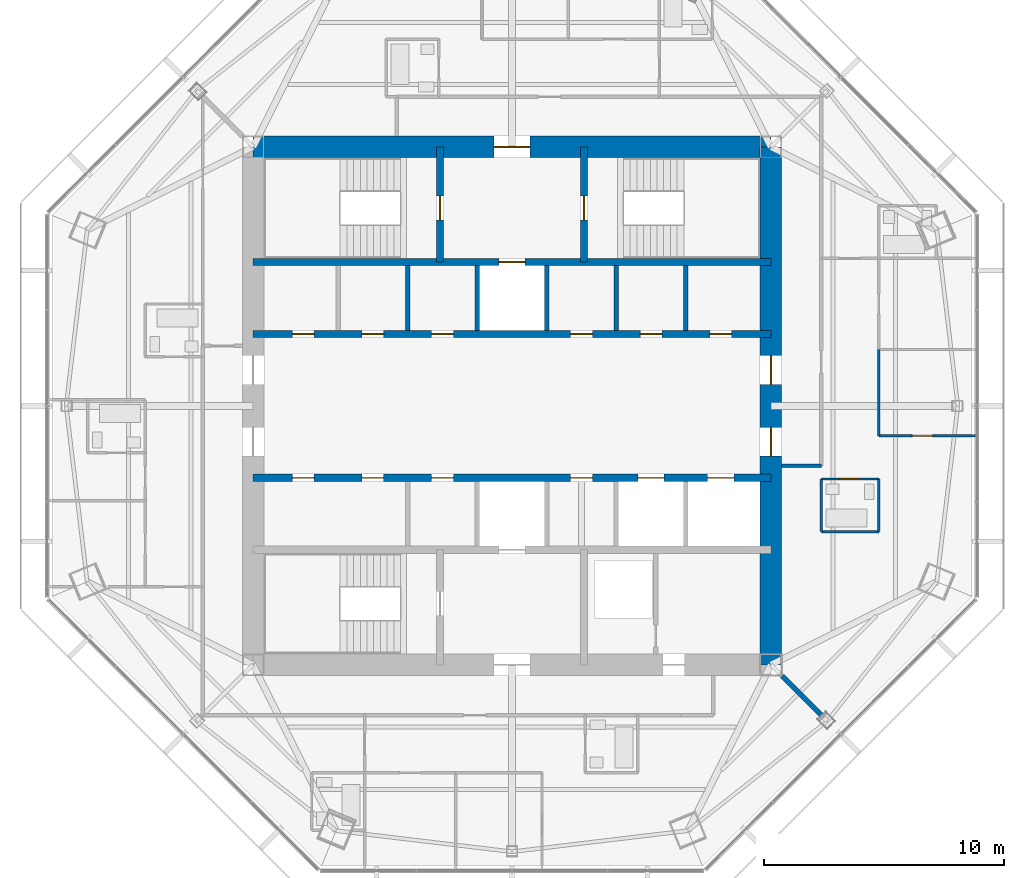
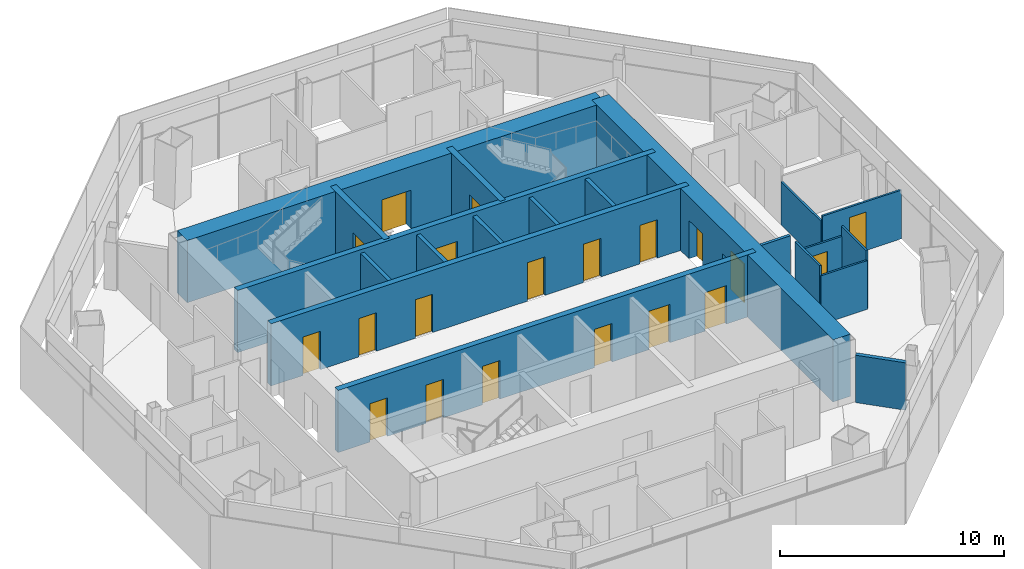
# One storey, part 10 of 15: 20 doors, 20 walls, 20 openings.
"""IFC4 building model written with IfcOpenShell, lengths in metres."""

import ifcopenshell
import ifcopenshell.guid

model = None  # the IFC model being written
_history = None  # IfcOwnerHistory: only IFC2X3 demands one
_inside = {}  # id of a spatial element -> (the spatial element, [elements in it])
_under = {}  # id of a project, library or spatial element -> (it, [spatial elements below it])
_declared = {}  # id of a project -> (the project, [libraries it declares])
_typed = {}  # id of a type object -> (the type object, [elements of that type])
_made_of = {}  # id of a material, layer set ... -> (it, [elements and type objects made of it])


def new_model(schema):
    """Start an empty IFC model of exactly this schema.

    Asked for "IFC4X3", IfcOpenShell would pick the latest addendum, in which some entities
    have other attributes; the version numbers below select the first issue.
    IFC2X3 requires an IfcOwnerHistory on every rooted entity: one is made here for all.
    """
    global model, _history
    if schema == "IFC4X3":
        model = ifcopenshell.file(schema_version=(4, 3, 0, 0))
    else:
        model = ifcopenshell.file(schema=schema)
    _inside.clear()
    _under.clear()
    _declared.clear()
    _typed.clear()
    _made_of.clear()
    _history = None
    if model.schema == "IFC2X3":
        org = make("IfcOrganization", Name="unknown")
        user = make(
            "IfcPersonAndOrganization",
            ThePerson=make("IfcPerson", FamilyName="unknown"),
            TheOrganization=org,
        )
        app = make(
            "IfcApplication",
            ApplicationDeveloper=org,
            Version="unknown",
            ApplicationFullName="unknown",
            ApplicationIdentifier="unknown",
        )
        _history = make(
            "IfcOwnerHistory",
            OwningUser=user,
            OwningApplication=app,
            ChangeAction="ADDED",
            CreationDate=0,
        )
    return model


def make(cls, **values):
    """One entity of the class cls with the attributes given. An attribute that is None is left unset."""
    return model.create_entity(
        cls, **{name: value for name, value in values.items() if value is not None}
    )


def rooted(cls, **values):
    """An entity with a GlobalId (a new one), such as an element, a storey or a relation."""
    return make(cls, GlobalId=ifcopenshell.guid.new(), OwnerHistory=_history, **values)


def si_unit(unit_type, name, prefix=None):
    """IfcSIUnit, for example si_unit("LENGTHUNIT", "METRE", prefix="MILLI")."""
    return make("IfcSIUnit", UnitType=unit_type, Prefix=prefix, Name=name)


def assignment(units):
    """IfcUnitAssignment: the units of a project."""
    return None if units is None else make("IfcUnitAssignment", Units=units)


def point(xyz):
    """IfcCartesianPoint."""
    return None if xyz is None else make("IfcCartesianPoint", Coordinates=xyz)


def direction(xyz):
    """IfcDirection."""
    return None if xyz is None else make("IfcDirection", DirectionRatios=xyz)


def frame(location, z_axis=None, x_axis=None):
    """IfcAxis2Placement3D, a coordinate frame: its origin and axes. An axis left out is left unset."""
    return make(
        "IfcAxis2Placement3D",
        Location=point(location),
        Axis=direction(z_axis),
        RefDirection=direction(x_axis),
    )


def frame_2d(location, x_axis=None):
    """IfcAxis2Placement2D, a coordinate frame in the plane: its origin and x axis."""
    return make(
        "IfcAxis2Placement2D", Location=point(location), RefDirection=direction(x_axis)
    )


def origin():
    """The frame at (0, 0, 0) with its axes left unset."""
    return frame((0.0, 0.0, 0.0))


def place(relative_to, where):
    """IfcLocalPlacement: puts the frame where relative to a parent placement (None: the world)."""
    return make(
        "IfcLocalPlacement", PlacementRelTo=relative_to, RelativePlacement=where
    )


def context(
    kind, dimensions, precision=None, world=None, true_north=None, identifier=None
):
    """IfcGeometricRepresentationContext, for example the 3D "Model" context."""
    return make(
        "IfcGeometricRepresentationContext",
        ContextIdentifier=identifier,
        ContextType=kind,
        CoordinateSpaceDimension=dimensions,
        Precision=precision,
        WorldCoordinateSystem=world,
        TrueNorth=true_north,
    )


def subcontext(parent, identifier, kind, view, scale=None):
    """IfcGeometricRepresentationSubContext, for example "Body" below "Model"."""
    return make(
        "IfcGeometricRepresentationSubContext",
        ContextIdentifier=identifier,
        ContextType=kind,
        ParentContext=parent,
        TargetScale=scale,
        TargetView=view,
    )


def project(units=None, contexts=None):
    """IfcProject with its units and contexts."""
    return rooted(
        "IfcProject",
        Name="project",
        RepresentationContexts=contexts,
        UnitsInContext=assignment(units),
    )


def spatial(cls, under=None, at=None, **own):
    """A site, building, storey or space (cls), placed at a placement, below another one or the project."""
    s = rooted(cls, ObjectPlacement=at, **own)
    if under is not None:
        _under.setdefault(under.id(), (under, []))[1].append(s)
    return s


def profile(cls, at=None, kind="AREA", **sizes):
    """A parametric profile (cls). Its sizes go by their IFC names, for example OverallWidth=200.0."""
    return make(cls, ProfileType=kind, Position=at, **sizes)


def rectangle(**sizes):
    """IfcRectangleProfileDef."""
    return profile("IfcRectangleProfileDef", **sizes)


def extrude(swept, where, along, depth):
    """IfcExtrudedAreaSolid: the profile swept, set in the frame where, extruded along a direction by depth."""
    return make(
        "IfcExtrudedAreaSolid",
        SweptArea=swept,
        Position=where,
        ExtrudedDirection=direction(along),
        Depth=depth,
    )


def shape(context_of_items, identifier, shape_type, items):
    """IfcShapeRepresentation: the items that make up one representation, for example the "Body"."""
    return make(
        "IfcShapeRepresentation",
        ContextOfItems=context_of_items,
        RepresentationIdentifier=identifier,
        RepresentationType=shape_type,
        Items=items,
    )


def material(Name=None, Category=None):
    """IfcMaterial."""
    return make("IfcMaterial", Name=Name, Category=Category)


def layer(
    of_material, thickness, ventilated=None, Name=None, Category=None, Priority=None
):
    """IfcMaterialLayer: one layer of a wall or slab, of a material (None: an air gap)."""
    return make(
        "IfcMaterialLayer",
        Material=of_material,
        LayerThickness=thickness,
        IsVentilated=ventilated,
        Name=Name,
        Category=Category,
        Priority=Priority,
    )


def layer_set(layers, Name=None):
    """IfcMaterialLayerSet."""
    return make("IfcMaterialLayerSet", MaterialLayers=layers, LayerSetName=Name)


def made_of(thing, what):
    """Note that an element or type object is made of a material, layer set ...; save() writes the relation."""
    if what is not None:
        _made_of.setdefault(what.id(), (what, []))[1].append(thing)
    return thing


def type_object(cls, material=None, **own):
    """A type object (cls), such as IfcWallType, which elements share."""
    return made_of(rooted(cls, **own), material)


def element(
    cls,
    number,
    at=None,
    inside=None,
    cuts=None,
    type_object=None,
    material=None,
    context=None,
    identifier="Body",
    shape_type=None,
    held_by="IfcProductDefinitionShape",
    body=None,
    shapes=None,
    **own,
):
    """One element of the class cls, such as IfcWall. Its Tag is "e" and its number.

    at: its placement. inside: the storey or other place that contains it. cuts: it is an
    opening in that element (IfcRelVoidsElement). A single representation is given by context,
    identifier, shape_type and body (its items); several are given by shapes. held_by: the class
    of the entity that holds the representations. save() writes the other relations.
    """
    e = rooted(cls, Tag="e%d" % number, ObjectPlacement=at, **own)
    if body is not None:
        shapes = [shape(context, identifier, shape_type, body)]
    if shapes is not None:
        e.Representation = make(held_by, Representations=shapes)
    if inside is not None:
        _inside.setdefault(inside.id(), (inside, []))[1].append(e)
    if cuts is not None:
        rooted(
            "IfcRelVoidsElement", RelatingBuildingElement=cuts, RelatedOpeningElement=e
        )
    if type_object is not None:
        _typed.setdefault(type_object.id(), (type_object, []))[1].append(e)
    return made_of(e, material)


def fill(opening, filler):
    """IfcRelFillsElement: the door or window that sits in an opening."""
    return rooted(
        "IfcRelFillsElement",
        RelatingOpeningElement=opening,
        RelatedBuildingElement=filler,
    )


def aggregate(whole, parts):
    """IfcRelAggregates: a whole, such as a stair, and the parts it consists of."""
    return rooted("IfcRelAggregates", RelatingObject=whole, RelatedObjects=parts)


def save(model, path):
    """Write the relations noted so far, then the file.

    IfcRelAggregates (storeys below a building ...), IfcRelContainedInSpatialStructure (elements
    in a storey), IfcRelDefinesByType, IfcRelAssociatesMaterial and IfcRelDeclares: one each for
    every whole, place, type object, material and project.
    """
    for whole, parts in _under.values():
        aggregate(whole, parts)
    for where, things in _inside.values():
        rooted(
            "IfcRelContainedInSpatialStructure",
            RelatedElements=things,
            RelatingStructure=where,
        )
    for kind, things in _typed.values():
        rooted("IfcRelDefinesByType", RelatedObjects=things, RelatingType=kind)
    for what, things in _made_of.values():
        rooted("IfcRelAssociatesMaterial", RelatedObjects=things, RelatingMaterial=what)
    for by, libraries in _declared.values():
        rooted("IfcRelDeclares", RelatingContext=by, RelatedDefinitions=libraries)
    model.write(path)


model = new_model("IFC4")

# Units and contexts
model_context = context("Model", 3, precision=1e-05, world=origin(), true_north=direction((0.0, 1.0)))
body_context = subcontext(model_context, "Body", "Model", "MODEL_VIEW")
ifc_project = project(units=[si_unit("LENGTHUNIT", "METRE"), si_unit("AREAUNIT", "SQUARE_METRE"), si_unit("VOLUMEUNIT", "CUBIC_METRE"), si_unit("PLANEANGLEUNIT", "RADIAN"), si_unit("MASSUNIT", "GRAM", prefix="KILO")], contexts=[model_context])

# Site, building, storey
site_placement = place(None, origin())
site = spatial("IfcSite", under=ifc_project, at=site_placement, CompositionType="ELEMENT")
building_placement = place(site_placement, origin())
building = spatial("IfcBuilding", under=site, at=building_placement, Name="Mashrafa Tower", CompositionType="ELEMENT")
storey_placement = place(building_placement, frame((0.0, 0.0, 304.800048828125)))
storey = spatial("IfcBuildingStorey", under=building, at=storey_placement, Name="L75", CompositionType="ELEMENT", Elevation=304.800048828125)

# Wall
ifc_material_1 = material(Name="Gypsum board on steel studs", Category="steel")
ifc_layer_1 = layer(ifc_material_1, 0.199951171875)
ifc_layer_set_1 = layer_set([ifc_layer_1], Name="Acoustic partition 200 1 hr")
wall_type_1 = type_object("IfcWallType", Name="Acoustic partition 200 1 hr", PredefinedType="PARTITIONING", material=ifc_layer_set_1)
wall_1_placement = place(storey_placement, frame((11.26904296875, -11.26904296875, 0.0), z_axis=(0.0, 0.0, 1.0), x_axis=(0.707106781187, -0.707106781187, 0.0)))
element("IfcWall", 1, at=wall_1_placement, inside=storey, type_object=wall_type_1, Name="Acoustic wall L75-033", PredefinedType="PARTITIONING", context=body_context, shape_type="SweptSolid", body=[
    extrude(rectangle(XDim=2.3154296875, YDim=0.199951171875, at=frame_2d((1.15771484375, 0.0))), origin(), (0.0, 0.0, 1.0), 2.590576171875),
])

# Wall, openings, doors
ifc_material_2 = material(Name="Concrete C50/60", Category="concrete")
ifc_layer_2 = layer(ifc_material_2, 0.300048828125)
ifc_layer_set_2 = layer_set([ifc_layer_2], Name="Core wall 300 C50/60")
wall_type_2 = type_object("IfcWallType", Name="Core wall 300 C50/60", PredefinedType="SOLIDWALL", material=ifc_layer_set_2)
wall_2_placement = place(storey_placement, frame((-10.800048828125, 3.0, 0.0), z_axis=(0.0, 0.0, 1.0), x_axis=(1.0, 0.0, 0.0)))
wall_2 = element("IfcWall", 2, at=wall_2_placement, inside=storey, type_object=wall_type_2, Name="Core wall CH-N L75", PredefinedType="SOLIDWALL", context=body_context, shape_type="SweptSolid", body=[
    extrude(rectangle(XDim=21.60009765625, YDim=0.300048828125, at=frame_2d((10.800048828125, 0.0))), origin(), (0.0, 0.0, 1.0), 3.39990234375),
])
opening_1_placement = place(wall_2_placement, frame((1.64990234375, 0.0, 0.0)))
opening_1 = element("IfcOpeningElement", 3, at=opening_1_placement, cuts=wall_2, Name="Opening 75.037", PredefinedType="OPENING", context=body_context, shape_type="SweptSolid", body=[
    extrude(rectangle(XDim=0.89990234375, YDim=2.10009765625, at=frame_2d((0.449951171875, 1.050048828125))), frame((0.0, 0.159912109375, 0.0), z_axis=(0.0, -1.0, 0.0), x_axis=(1.0, 0.0, 0.0)), (0.0, 0.0, 1.0), 0.320068359375),
])
opening_2_placement = place(wall_2_placement, frame((4.550048828125, 0.0, 0.0)))
opening_2 = element("IfcOpeningElement", 4, at=opening_2_placement, cuts=wall_2, Name="Opening 75.038", PredefinedType="OPENING", context=body_context, shape_type="SweptSolid", body=[
    extrude(rectangle(XDim=0.89990234375, YDim=2.10009765625, at=frame_2d((0.449951171875, 1.050048828125))), frame((0.0, 0.159912109375, 0.0), z_axis=(0.0, -1.0, 0.0), x_axis=(1.0, 0.0, 0.0)), (0.0, 0.0, 1.0), 0.320068359375),
])
opening_3_placement = place(wall_2_placement, frame((13.25, 0.0, 0.0)))
opening_3 = element("IfcOpeningElement", 5, at=opening_3_placement, cuts=wall_2, Name="Opening 75.039", PredefinedType="OPENING", context=body_context, shape_type="SweptSolid", body=[
    extrude(rectangle(XDim=0.89990234375, YDim=2.10009765625, at=frame_2d((0.449951171875, 1.050048828125))), frame((0.0, 0.159912109375, 0.0), z_axis=(0.0, -1.0, 0.0), x_axis=(1.0, 0.0, 0.0)), (0.0, 0.0, 1.0), 0.320068359375),
])
opening_4_placement = place(wall_2_placement, frame((7.449951171875, 0.0, 0.0)))
opening_4 = element("IfcOpeningElement", 6, at=opening_4_placement, cuts=wall_2, Name="Opening 75.043", PredefinedType="OPENING", context=body_context, shape_type="SweptSolid", body=[
    extrude(rectangle(XDim=0.89990234375, YDim=2.10009765625, at=frame_2d((0.449951171875, 1.050048828125))), frame((0.0, 0.159912109375, 0.0), z_axis=(0.0, -1.0, 0.0), x_axis=(1.0, 0.0, 0.0)), (0.0, 0.0, 1.0), 0.320068359375),
])
opening_5_placement = place(wall_2_placement, frame((16.14990234375, 0.0, 0.0)))
opening_5 = element("IfcOpeningElement", 7, at=opening_5_placement, cuts=wall_2, Name="Opening 75.044", PredefinedType="OPENING", context=body_context, shape_type="SweptSolid", body=[
    extrude(rectangle(XDim=0.89990234375, YDim=2.10009765625, at=frame_2d((0.449951171875, 1.050048828125))), frame((0.0, 0.159912109375, 0.0), z_axis=(0.0, -1.0, 0.0), x_axis=(1.0, 0.0, 0.0)), (0.0, 0.0, 1.0), 0.320068359375),
])
opening_6_placement = place(wall_2_placement, frame((19.050048828125, 0.0, 0.0)))
opening_6 = element("IfcOpeningElement", 8, at=opening_6_placement, cuts=wall_2, Name="Opening 75.045", PredefinedType="OPENING", context=body_context, shape_type="SweptSolid", body=[
    extrude(rectangle(XDim=0.89990234375, YDim=2.10009765625, at=frame_2d((0.449951171875, 1.050048828125))), frame((0.0, 0.159912109375, 0.0), z_axis=(0.0, -1.0, 0.0), x_axis=(1.0, 0.0, 0.0)), (0.0, 0.0, 1.0), 0.320068359375),
])
ifc_material_3 = material(Name="Timber door", Category="wood")
door_type_1 = type_object("IfcDoorType", Name="Store door 900 x 2100", OperationType="USERDEFINED", PredefinedType="DOOR", material=ifc_material_3)
door_1_placement = place(opening_1_placement, origin())
door_1 = element("IfcDoor", 9, at=door_1_placement, inside=storey, type_object=door_type_1, Name="Refuse Chute Room L75 door", OperationType="SINGLE_SWING_RIGHT", OverallHeight=2.10009765625, OverallWidth=0.89990234375, PredefinedType="DOOR", context=body_context, shape_type="SweptSolid", body=[
    extrude(rectangle(XDim=0.89990234375, YDim=2.10009765625, at=frame_2d((0.449951171875, 1.050048828125))), frame((0.0, 0.02490234375, 0.0), z_axis=(0.0, -1.0, 0.0), x_axis=(1.0, 0.0, 0.0)), (0.0, 0.0, 1.0), 0.050048828125),
])
fill(opening_1, door_1)
door_2_placement = place(opening_2_placement, origin())
door_2 = element("IfcDoor", 10, at=door_2_placement, inside=storey, type_object=door_type_1, Name="Housekeeping Room L75 door", OperationType="SINGLE_SWING_LEFT", OverallHeight=2.10009765625, OverallWidth=0.89990234375, PredefinedType="DOOR", context=body_context, shape_type="SweptSolid", body=[
    extrude(rectangle(XDim=0.89990234375, YDim=2.10009765625, at=frame_2d((0.449951171875, 1.050048828125))), frame((0.0, 0.02490234375, 0.0), z_axis=(0.0, -1.0, 0.0), x_axis=(1.0, 0.0, 0.0)), (0.0, 0.0, 1.0), 0.050048828125),
])
fill(opening_2, door_2)
door_3_placement = place(opening_3_placement, origin())
door_3 = element("IfcDoor", 11, at=door_3_placement, inside=storey, type_object=door_type_1, Name="Cleaner's Store L75 door", OperationType="SINGLE_SWING_LEFT", OverallHeight=2.10009765625, OverallWidth=0.89990234375, PredefinedType="DOOR", context=body_context, shape_type="SweptSolid", body=[
    extrude(rectangle(XDim=0.89990234375, YDim=2.10009765625, at=frame_2d((0.449951171875, 1.050048828125))), frame((0.0, 0.02490234375, 0.0), z_axis=(0.0, -1.0, 0.0), x_axis=(1.0, 0.0, 0.0)), (0.0, 0.0, 1.0), 0.050048828125),
])
fill(opening_3, door_3)
door_4_placement = place(opening_4_placement, origin())
door_4 = element("IfcDoor", 12, at=door_4_placement, inside=storey, type_object=door_type_1, Name="Residents' Store L75-A3 door", OperationType="SINGLE_SWING_LEFT", OverallHeight=2.10009765625, OverallWidth=0.89990234375, PredefinedType="DOOR", context=body_context, shape_type="SweptSolid", body=[
    extrude(rectangle(XDim=0.89990234375, YDim=2.10009765625, at=frame_2d((0.449951171875, 1.050048828125))), frame((0.0, 0.02490234375, 0.0), z_axis=(0.0, -1.0, 0.0), x_axis=(1.0, 0.0, 0.0)), (0.0, 0.0, 1.0), 0.050048828125),
])
fill(opening_4, door_4)
door_5_placement = place(opening_5_placement, origin())
door_5 = element("IfcDoor", 13, at=door_5_placement, inside=storey, type_object=door_type_1, Name="Residents' Store L75-K1 door", OperationType="SINGLE_SWING_LEFT", OverallHeight=2.10009765625, OverallWidth=0.89990234375, PredefinedType="DOOR", context=body_context, shape_type="SweptSolid", body=[
    extrude(rectangle(XDim=0.89990234375, YDim=2.10009765625, at=frame_2d((0.449951171875, 1.050048828125))), frame((0.0, 0.02490234375, 0.0), z_axis=(0.0, -1.0, 0.0), x_axis=(1.0, 0.0, 0.0)), (0.0, 0.0, 1.0), 0.050048828125),
])
fill(opening_5, door_5)
door_6_placement = place(opening_6_placement, origin())
door_6 = element("IfcDoor", 14, at=door_6_placement, inside=storey, type_object=door_type_1, Name="Residents' Store L75-K2 door", OperationType="SINGLE_SWING_LEFT", OverallHeight=2.10009765625, OverallWidth=0.89990234375, PredefinedType="DOOR", context=body_context, shape_type="SweptSolid", body=[
    extrude(rectangle(XDim=0.89990234375, YDim=2.10009765625, at=frame_2d((0.449951171875, 1.050048828125))), frame((0.0, 0.02490234375, 0.0), z_axis=(0.0, -1.0, 0.0), x_axis=(1.0, 0.0, 0.0)), (0.0, 0.0, 1.0), 0.050048828125),
])
fill(opening_6, door_6)

# Wall, opening, door
wall_3_placement = place(storey_placement, frame((-10.800048828125, 6.0, 0.0), z_axis=(0.0, 0.0, 1.0), x_axis=(1.0, 0.0, 0.0)))
wall_3 = element("IfcWall", 15, at=wall_3_placement, inside=storey, type_object=wall_type_2, Name="Core wall CB-N L75", PredefinedType="SOLIDWALL", context=body_context, shape_type="SweptSolid", body=[
    extrude(rectangle(XDim=21.60009765625, YDim=0.300048828125, at=frame_2d((10.800048828125, 0.0))), origin(), (0.0, 0.0, 1.0), 3.39990234375),
])
opening_7_placement = place(wall_3_placement, frame((10.25, 0.0, 0.0)))
opening_7 = element("IfcOpeningElement", 16, at=opening_7_placement, cuts=wall_3, Name="Opening 75.F1", PredefinedType="OPENING", context=body_context, shape_type="SweptSolid", body=[
    extrude(rectangle(XDim=1.10009765625, YDim=2.10009765625, at=frame_2d((0.550048828125, 1.050048828125))), frame((0.0, 0.159912109375, 0.0), z_axis=(0.0, -1.0, 0.0), x_axis=(1.0, 0.0, 0.0)), (0.0, 0.0, 1.0), 0.320068359375),
])
ifc_material_4 = material(Name="Steel door", Category="steel")
door_type_2 = type_object("IfcDoorType", Name="Lift landing door 1100 x 2100 90 min", OperationType="DOUBLE_DOOR_SLIDING", PredefinedType="DOOR", material=ifc_material_4)
door_7_placement = place(opening_7_placement, origin())
door_7 = element("IfcDoor", 17, at=door_7_placement, inside=storey, type_object=door_type_2, Name="Lift landing door F1 L75", OperationType="DOUBLE_DOOR_SLIDING", OverallHeight=2.10009765625, OverallWidth=1.10009765625, PredefinedType="DOOR", context=body_context, shape_type="SweptSolid", body=[
    extrude(rectangle(XDim=1.10009765625, YDim=2.10009765625, at=frame_2d((0.550048828125, 1.050048828125))), frame((0.0, 0.02490234375, 0.0), z_axis=(0.0, -1.0, 0.0), x_axis=(1.0, 0.0, 0.0)), (0.0, 0.0, 1.0), 0.050048828125),
])
fill(opening_7, door_7)

wall_4_placement = place(storey_placement, frame((-3.0, 6.0, 0.0), z_axis=(0.0, 0.0, 1.0), x_axis=(0.0, 1.0, 0.0)))
wall_4 = element("IfcWall", 18, at=wall_4_placement, inside=storey, type_object=wall_type_2, Name="Core wall CX-NW L75", PredefinedType="SOLIDWALL", context=body_context, shape_type="SweptSolid", body=[
    extrude(rectangle(XDim=4.800048828125, YDim=0.300048828125, at=frame_2d((2.39990234375, 0.0))), origin(), (0.0, 0.0, 1.0), 3.39990234375),
])
opening_8_placement = place(wall_4_placement, frame((1.75, 0.0, 0.0)))
opening_8 = element("IfcOpeningElement", 19, at=opening_8_placement, cuts=wall_4, Name="Opening 75.032", PredefinedType="OPENING", context=body_context, shape_type="SweptSolid", body=[
    extrude(rectangle(XDim=1.0, YDim=2.10009765625, at=frame_2d((0.5, 1.050048828125))), frame((0.0, 0.159912109375, 0.0), z_axis=(0.0, -1.0, 0.0), x_axis=(1.0, 0.0, 0.0)), (0.0, 0.0, 1.0), 0.320068359375),
])
ifc_material_5 = material(Name="Steel door", Category="steel")
door_type_3 = type_object("IfcDoorType", Name="Stair door 1000 x 2100 90 min", OperationType="USERDEFINED", PredefinedType="DOOR", material=ifc_material_5)
door_8_placement = place(opening_8_placement, origin())
door_8 = element("IfcDoor", 20, at=door_8_placement, inside=storey, type_object=door_type_3, Name="Stair S1 door L75", OperationType="SINGLE_SWING_LEFT", OverallHeight=2.10009765625, OverallWidth=1.0, PredefinedType="DOOR", context=body_context, shape_type="SweptSolid", body=[
    extrude(rectangle(XDim=1.0, YDim=2.10009765625, at=frame_2d((0.5, 1.050048828125))), frame((0.0, 0.02490234375, 0.0), z_axis=(0.0, -1.0, 0.0), x_axis=(1.0, 0.0, 0.0)), (0.0, 0.0, 1.0), 0.050048828125),
])
fill(opening_8, door_8)

wall_5_placement = place(storey_placement, frame((3.0, 6.0, 0.0), z_axis=(0.0, 0.0, 1.0), x_axis=(0.0, 1.0, 0.0)))
wall_5 = element("IfcWall", 21, at=wall_5_placement, inside=storey, type_object=wall_type_2, Name="Core wall CX-NE L75", PredefinedType="SOLIDWALL", context=body_context, shape_type="SweptSolid", body=[
    extrude(rectangle(XDim=4.800048828125, YDim=0.300048828125, at=frame_2d((2.39990234375, 0.0))), origin(), (0.0, 0.0, 1.0), 3.39990234375),
])
opening_9_placement = place(wall_5_placement, frame((1.75, 0.0, 0.0)))
opening_9 = element("IfcOpeningElement", 22, at=opening_9_placement, cuts=wall_5, Name="Opening 75.033", PredefinedType="OPENING", context=body_context, shape_type="SweptSolid", body=[
    extrude(rectangle(XDim=1.0, YDim=2.10009765625, at=frame_2d((0.5, 1.050048828125))), frame((0.0, 0.159912109375, 0.0), z_axis=(0.0, -1.0, 0.0), x_axis=(1.0, 0.0, 0.0)), (0.0, 0.0, 1.0), 0.320068359375),
])
door_9_placement = place(opening_9_placement, frame((1.0, 0.0, 0.0), z_axis=(0.0, 0.0, 1.0), x_axis=(-1.0, 0.0, 0.0)))
door_9 = element("IfcDoor", 23, at=door_9_placement, inside=storey, type_object=door_type_3, Name="Stair S2 door L75", OperationType="SINGLE_SWING_RIGHT", OverallHeight=2.10009765625, OverallWidth=1.0, PredefinedType="DOOR", context=body_context, shape_type="SweptSolid", body=[
    extrude(rectangle(XDim=1.0, YDim=2.10009765625, at=frame_2d((0.5, 1.050048828125))), frame((0.0, 0.02490234375, 0.0), z_axis=(0.0, -1.0, 0.0), x_axis=(1.0, 0.0, 0.0)), (0.0, 0.0, 1.0), 0.050048828125),
])
fill(opening_9, door_9)

# Wall, openings, doors
wall_6_placement = place(storey_placement, frame((-10.800048828125, -3.0, 0.0), z_axis=(0.0, 0.0, 1.0), x_axis=(1.0, 0.0, 0.0)))
wall_6 = element("IfcWall", 24, at=wall_6_placement, inside=storey, type_object=wall_type_2, Name="Core wall CH-S L75", PredefinedType="SOLIDWALL", context=body_context, shape_type="SweptSolid", body=[
    extrude(rectangle(XDim=21.60009765625, YDim=0.300048828125, at=frame_2d((10.800048828125, 0.0))), origin(), (0.0, 0.0, 1.0), 3.39990234375),
])
opening_10_placement = place(wall_6_placement, frame((13.25, 0.0, 0.0)))
opening_10 = element("IfcOpeningElement", 25, at=opening_10_placement, cuts=wall_6, Name="Opening 75.040", PredefinedType="OPENING", context=body_context, shape_type="SweptSolid", body=[
    extrude(rectangle(XDim=0.89990234375, YDim=2.10009765625, at=frame_2d((0.449951171875, 1.050048828125))), frame((0.0, 0.159912109375, 0.0), z_axis=(0.0, -1.0, 0.0), x_axis=(1.0, 0.0, 0.0)), (0.0, 0.0, 1.0), 0.320068359375),
])
opening_11_placement = place(wall_6_placement, frame((1.64990234375, 0.0, 0.0)))
opening_11 = element("IfcOpeningElement", 26, at=opening_11_placement, cuts=wall_6, Name="Opening 75.041", PredefinedType="OPENING", context=body_context, shape_type="SweptSolid", body=[
    extrude(rectangle(XDim=0.89990234375, YDim=2.10009765625, at=frame_2d((0.449951171875, 1.050048828125))), frame((0.0, 0.159912109375, 0.0), z_axis=(0.0, -1.0, 0.0), x_axis=(1.0, 0.0, 0.0)), (0.0, 0.0, 1.0), 0.320068359375),
])
opening_12_placement = place(wall_6_placement, frame((4.550048828125, 0.0, 0.0)))
opening_12 = element("IfcOpeningElement", 27, at=opening_12_placement, cuts=wall_6, Name="Opening 75.042", PredefinedType="OPENING", context=body_context, shape_type="SweptSolid", body=[
    extrude(rectangle(XDim=0.89990234375, YDim=2.10009765625, at=frame_2d((0.449951171875, 1.050048828125))), frame((0.0, 0.159912109375, 0.0), z_axis=(0.0, -1.0, 0.0), x_axis=(1.0, 0.0, 0.0)), (0.0, 0.0, 1.0), 0.320068359375),
])
opening_13_placement = place(wall_6_placement, frame((7.449951171875, 0.0, 0.0)))
opening_13 = element("IfcOpeningElement", 28, at=opening_13_placement, cuts=wall_6, Name="Opening 75.046", PredefinedType="OPENING", context=body_context, shape_type="SweptSolid", body=[
    extrude(rectangle(XDim=0.89990234375, YDim=2.10009765625, at=frame_2d((0.449951171875, 1.050048828125))), frame((0.0, 0.159912109375, 0.0), z_axis=(0.0, -1.0, 0.0), x_axis=(1.0, 0.0, 0.0)), (0.0, 0.0, 1.0), 0.320068359375),
])
opening_14_placement = place(wall_6_placement, frame((16.050048828125, 0.0, 0.0)))
opening_14 = element("IfcOpeningElement", 29, at=opening_14_placement, cuts=wall_6, Name="Opening 75.R1", PredefinedType="OPENING", context=body_context, shape_type="SweptSolid", body=[
    extrude(rectangle(XDim=1.10009765625, YDim=2.10009765625, at=frame_2d((0.550048828125, 1.050048828125))), frame((0.0, 0.159912109375, 0.0), z_axis=(0.0, -1.0, 0.0), x_axis=(1.0, 0.0, 0.0)), (0.0, 0.0, 1.0), 0.320068359375),
])
opening_15_placement = place(wall_6_placement, frame((18.949951171875, 0.0, 0.0)))
opening_15 = element("IfcOpeningElement", 30, at=opening_15_placement, cuts=wall_6, Name="Opening 75.R2", PredefinedType="OPENING", context=body_context, shape_type="SweptSolid", body=[
    extrude(rectangle(XDim=1.10009765625, YDim=2.10009765625, at=frame_2d((0.550048828125, 1.050048828125))), frame((0.0, 0.159912109375, 0.0), z_axis=(0.0, -1.0, 0.0), x_axis=(1.0, 0.0, 0.0)), (0.0, 0.0, 1.0), 0.320068359375),
])
door_10_placement = place(opening_14_placement, origin())
door_10 = element("IfcDoor", 31, at=door_10_placement, inside=storey, type_object=door_type_2, Name="Lift landing door R1 L75", OperationType="DOUBLE_DOOR_SLIDING", OverallHeight=2.10009765625, OverallWidth=1.10009765625, PredefinedType="DOOR", context=body_context, shape_type="SweptSolid", body=[
    extrude(rectangle(XDim=1.10009765625, YDim=2.10009765625, at=frame_2d((0.550048828125, 1.050048828125))), frame((0.0, 0.02490234375, 0.0), z_axis=(0.0, -1.0, 0.0), x_axis=(1.0, 0.0, 0.0)), (0.0, 0.0, 1.0), 0.050048828125),
])
fill(opening_14, door_10)
door_11_placement = place(opening_15_placement, origin())
door_11 = element("IfcDoor", 32, at=door_11_placement, inside=storey, type_object=door_type_2, Name="Lift landing door R2 L75", OperationType="DOUBLE_DOOR_SLIDING", OverallHeight=2.10009765625, OverallWidth=1.10009765625, PredefinedType="DOOR", context=body_context, shape_type="SweptSolid", body=[
    extrude(rectangle(XDim=1.10009765625, YDim=2.10009765625, at=frame_2d((0.550048828125, 1.050048828125))), frame((0.0, 0.02490234375, 0.0), z_axis=(0.0, -1.0, 0.0), x_axis=(1.0, 0.0, 0.0)), (0.0, 0.0, 1.0), 0.050048828125),
])
fill(opening_15, door_11)
door_12_placement = place(opening_10_placement, frame((0.89990234375, 0.0, 0.0), z_axis=(0.0, 0.0, 1.0), x_axis=(-1.0, 0.0, 0.0)))
door_12 = element("IfcDoor", 33, at=door_12_placement, inside=storey, type_object=door_type_1, Name="Communications Room L75 door", OperationType="SINGLE_SWING_RIGHT", OverallHeight=2.10009765625, OverallWidth=0.89990234375, PredefinedType="DOOR", context=body_context, shape_type="SweptSolid", body=[
    extrude(rectangle(XDim=0.89990234375, YDim=2.10009765625, at=frame_2d((0.449951171875, 1.050048828125))), frame((0.0, 0.02490234375, 0.0), z_axis=(0.0, -1.0, 0.0), x_axis=(1.0, 0.0, 0.0)), (0.0, 0.0, 1.0), 0.050048828125),
])
fill(opening_10, door_12)
door_13_placement = place(opening_11_placement, frame((0.89990234375, 0.0, 0.0), z_axis=(0.0, 0.0, 1.0), x_axis=(-1.0, 0.0, 0.0)))
door_13 = element("IfcDoor", 34, at=door_13_placement, inside=storey, type_object=door_type_1, Name="Butler's Pantry L75 door", OperationType="SINGLE_SWING_RIGHT", OverallHeight=2.10009765625, OverallWidth=0.89990234375, PredefinedType="DOOR", context=body_context, shape_type="SweptSolid", body=[
    extrude(rectangle(XDim=0.89990234375, YDim=2.10009765625, at=frame_2d((0.449951171875, 1.050048828125))), frame((0.0, 0.02490234375, 0.0), z_axis=(0.0, -1.0, 0.0), x_axis=(1.0, 0.0, 0.0)), (0.0, 0.0, 1.0), 0.050048828125),
])
fill(opening_11, door_13)
door_14_placement = place(opening_12_placement, frame((0.89990234375, 0.0, 0.0), z_axis=(0.0, 0.0, 1.0), x_axis=(-1.0, 0.0, 0.0)))
door_14 = element("IfcDoor", 35, at=door_14_placement, inside=storey, type_object=door_type_1, Name="Butler's Pantry L75 door", OperationType="SINGLE_SWING_LEFT", OverallHeight=2.10009765625, OverallWidth=0.89990234375, PredefinedType="DOOR", context=body_context, shape_type="SweptSolid", body=[
    extrude(rectangle(XDim=0.89990234375, YDim=2.10009765625, at=frame_2d((0.449951171875, 1.050048828125))), frame((0.0, 0.02490234375, 0.0), z_axis=(0.0, -1.0, 0.0), x_axis=(1.0, 0.0, 0.0)), (0.0, 0.0, 1.0), 0.050048828125),
])
fill(opening_12, door_14)
door_15_placement = place(opening_13_placement, frame((0.89990234375, 0.0, 0.0), z_axis=(0.0, 0.0, 1.0), x_axis=(-1.0, 0.0, 0.0)))
door_15 = element("IfcDoor", 36, at=door_15_placement, inside=storey, type_object=door_type_1, Name="Residents' Store L75-B3 door", OperationType="SINGLE_SWING_RIGHT", OverallHeight=2.10009765625, OverallWidth=0.89990234375, PredefinedType="DOOR", context=body_context, shape_type="SweptSolid", body=[
    extrude(rectangle(XDim=0.89990234375, YDim=2.10009765625, at=frame_2d((0.449951171875, 1.050048828125))), frame((0.0, 0.02490234375, 0.0), z_axis=(0.0, -1.0, 0.0), x_axis=(1.0, 0.0, 0.0)), (0.0, 0.0, 1.0), 0.050048828125),
])
fill(opening_13, door_15)

ifc_material_6 = material(Name="Concrete C50/60", Category="concrete")
ifc_layer_3 = layer(ifc_material_6, 0.89990234375)
ifc_layer_set_3 = layer_set([ifc_layer_3], Name="Core wall 900 C50/60")
wall_type_3 = type_object("IfcWallType", Name="Core wall 900 C50/60", PredefinedType="SOLIDWALL", material=ifc_layer_set_3)
wall_7_placement = place(storey_placement, frame((10.800048828125, -10.800048828125, 0.0), z_axis=(0.0, 0.0, 1.0), x_axis=(0.0, 1.0, 0.0)))
wall_7 = element("IfcWall", 37, at=wall_7_placement, inside=storey, type_object=wall_type_3, Name="Core wall CW-E L75", PredefinedType="SOLIDWALL", context=body_context, shape_type="SweptSolid", body=[
    extrude(rectangle(XDim=21.60009765625, YDim=0.89990234375, at=frame_2d((10.800048828125, 0.0))), origin(), (0.0, 0.0, 1.0), 3.39990234375),
])
opening_16_placement = place(wall_7_placement, frame((11.699951171875, 0.0, 0.0)))
opening_16 = element("IfcOpeningElement", 38, at=opening_16_placement, cuts=wall_7, Name="Opening 75.026", PredefinedType="OPENING", context=body_context, shape_type="SweptSolid", body=[
    extrude(rectangle(XDim=1.199951171875, YDim=2.10009765625, at=frame_2d((0.60009765625, 1.050048828125))), frame((0.0, 0.4599609375, 0.0), z_axis=(0.0, -1.0, 0.0), x_axis=(1.0, 0.0, 0.0)), (0.0, 0.0, 1.0), 0.919921875),
])
opening_17_placement = place(wall_7_placement, frame((8.699951171875, 0.0, 0.0)))
opening_17 = element("IfcOpeningElement", 39, at=opening_17_placement, cuts=wall_7, Name="Opening 75.028", PredefinedType="OPENING", context=body_context, shape_type="SweptSolid", body=[
    extrude(rectangle(XDim=1.199951171875, YDim=2.10009765625, at=frame_2d((0.60009765625, 1.050048828125))), frame((0.0, 0.4599609375, 0.0), z_axis=(0.0, -1.0, 0.0), x_axis=(1.0, 0.0, 0.0)), (0.0, 0.0, 1.0), 0.919921875),
])
ifc_material_7 = material(Name="Steel door", Category="steel")
door_type_4 = type_object("IfcDoorType", Name="Lift hall door 1200 x 2100 90 min", OperationType="USERDEFINED", PredefinedType="DOOR", material=ifc_material_7)
door_16_placement = place(opening_16_placement, frame((1.199951171875, 0.0, 0.0), z_axis=(0.0, 0.0, 1.0), x_axis=(-1.0, 0.0, 0.0)))
door_16 = element("IfcDoor", 40, at=door_16_placement, inside=storey, type_object=door_type_4, Name="Lift hall door east L75", OperationType="SINGLE_SWING_RIGHT", OverallHeight=2.10009765625, OverallWidth=1.199951171875, PredefinedType="DOOR", context=body_context, shape_type="SweptSolid", body=[
    extrude(rectangle(XDim=1.199951171875, YDim=2.10009765625, at=frame_2d((0.60009765625, 1.050048828125))), frame((0.0, 0.02490234375, 0.0), z_axis=(0.0, -1.0, 0.0), x_axis=(1.0, 0.0, 0.0)), (0.0, 0.0, 1.0), 0.050048828125),
])
fill(opening_16, door_16)
door_17_placement = place(opening_17_placement, frame((1.199951171875, 0.0, 0.0), z_axis=(0.0, 0.0, 1.0), x_axis=(-1.0, 0.0, 0.0)))
door_17 = element("IfcDoor", 41, at=door_17_placement, inside=storey, type_object=door_type_4, Name="Lift hall door east L75", OperationType="SINGLE_SWING_RIGHT", OverallHeight=2.10009765625, OverallWidth=1.199951171875, PredefinedType="DOOR", context=body_context, shape_type="SweptSolid", body=[
    extrude(rectangle(XDim=1.199951171875, YDim=2.10009765625, at=frame_2d((0.60009765625, 1.050048828125))), frame((0.0, 0.02490234375, 0.0), z_axis=(0.0, -1.0, 0.0), x_axis=(1.0, 0.0, 0.0)), (0.0, 0.0, 1.0), 0.050048828125),
])
fill(opening_17, door_17)

# Wall, opening, door
wall_8_placement = place(storey_placement, frame((10.800048828125, 10.800048828125, 0.0), z_axis=(0.0, 0.0, 1.0), x_axis=(-1.0, 0.0, 0.0)))
wall_8 = element("IfcWall", 42, at=wall_8_placement, inside=storey, type_object=wall_type_3, Name="Core wall CW-N L75", PredefinedType="SOLIDWALL", context=body_context, shape_type="SweptSolid", body=[
    extrude(rectangle(XDim=21.60009765625, YDim=0.89990234375, at=frame_2d((10.800048828125, 0.0))), origin(), (0.0, 0.0, 1.0), 3.39990234375),
])
opening_18_placement = place(wall_8_placement, frame((10.050048828125, 0.0, 0.0)))
opening_18 = element("IfcOpeningElement", 43, at=opening_18_placement, cuts=wall_8, Name="Opening 75.030", PredefinedType="OPENING", context=body_context, shape_type="SweptSolid", body=[
    extrude(rectangle(XDim=1.5, YDim=2.10009765625, at=frame_2d((0.75, 1.050048828125))), frame((0.0, 0.4599609375, 0.0), z_axis=(0.0, -1.0, 0.0), x_axis=(1.0, 0.0, 0.0)), (0.0, 0.0, 1.0), 0.919921875),
])
ifc_material_8 = material(Name="Steel door", Category="steel")
door_type_5 = type_object("IfcDoorType", Name="Lobby door pair 1500 x 2100 90 min", OperationType="DOUBLE_DOOR_SINGLE_SWING", PredefinedType="DOOR", material=ifc_material_8)
door_18_placement = place(opening_18_placement, origin())
door_18 = element("IfcDoor", 44, at=door_18_placement, inside=storey, type_object=door_type_5, Name="Fire-fighting lobby F1 door L75", OperationType="DOUBLE_DOOR_SINGLE_SWING", OverallHeight=2.10009765625, OverallWidth=1.5, PredefinedType="DOOR", context=body_context, shape_type="SweptSolid", body=[
    extrude(rectangle(XDim=1.5, YDim=2.10009765625, at=frame_2d((0.75, 1.050048828125))), frame((0.0, 0.02490234375, 0.0), z_axis=(0.0, -1.0, 0.0), x_axis=(1.0, 0.0, 0.0)), (0.0, 0.0, 1.0), 0.050048828125),
])
fill(opening_18, door_18)

# Walls
ifc_material_9 = material(Name="Gypsum board on steel studs", Category="steel")
ifc_layer_4 = layer(ifc_material_9, 0.14990234375)
ifc_layer_set_4 = layer_set([ifc_layer_4], Name="Corridor partition 150 1 hr")
wall_type_4 = type_object("IfcWallType", Name="Corridor partition 150 1 hr", PredefinedType="PARTITIONING", material=ifc_layer_set_4)
wall_9_placement = place(storey_placement, frame((11.25, -2.5, 0.0), z_axis=(0.0, 0.0, 1.0), x_axis=(1.0, 0.0, 0.0)))
element("IfcWall", 45, at=wall_9_placement, inside=storey, type_object=wall_type_4, Name="Corridor wall L75-002", PredefinedType="PARTITIONING", context=body_context, shape_type="SweptSolid", body=[
    extrude(rectangle(XDim=1.64990234375, YDim=0.14990234375, at=frame_2d((0.824951171875, 0.0))), origin(), (0.0, 0.0, 1.0), 3.199951171875),
])
ifc_material_10 = material(Name="Gypsum board on steel studs", Category="steel")
ifc_layer_5 = layer(ifc_material_10, 0.10009765625)
ifc_layer_set_5 = layer_set([ifc_layer_5], Name="Partition 100")
wall_type_5 = type_object("IfcWallType", Name="Partition 100", PredefinedType="PARTITIONING", material=ifc_layer_set_5)
wall_10_placement = place(storey_placement, frame((15.300048828125, -5.25, 0.0), z_axis=(0.0, 0.0, 1.0), x_axis=(-1.0, 0.0, 0.0)))
element("IfcWall", 46, at=wall_10_placement, inside=storey, type_object=wall_type_5, Name="Partition wall L75-018", PredefinedType="PARTITIONING", context=body_context, shape_type="SweptSolid", body=[
    extrude(rectangle(XDim=2.400146484375, YDim=0.10009765625, at=frame_2d((1.2001953125, 0.0))), origin(), (0.0, 0.0, 1.0), 2.66162109375),
])
wall_11_placement = place(storey_placement, frame((15.300048828125, -5.25, 0.0), z_axis=(0.0, 0.0, 1.0), x_axis=(0.0, 1.0, 0.0)))
element("IfcWall", 47, at=wall_11_placement, inside=storey, type_object=wall_type_5, Name="Partition wall L75-019", PredefinedType="PARTITIONING", context=body_context, shape_type="SweptSolid", body=[
    extrude(rectangle(XDim=2.199951171875, YDim=0.10009765625, at=frame_2d((1.10009765625, 0.0))), origin(), (0.0, 0.0, 1.0), 3.199951171875),
])

# Wall, opening, door
wall_12_placement = place(storey_placement, frame((15.300048828125, -3.050048828125, 0.0), z_axis=(0.0, 0.0, 1.0), x_axis=(-1.0, 0.0, 0.0)))
wall_12 = element("IfcWall", 48, at=wall_12_placement, inside=storey, type_object=wall_type_5, Name="Partition wall L75-020", PredefinedType="PARTITIONING", context=body_context, shape_type="SweptSolid", body=[
    extrude(rectangle(XDim=2.400146484375, YDim=0.10009765625, at=frame_2d((1.2001953125, 0.0))), origin(), (0.0, 0.0, 1.0), 2.66162109375),
])
opening_19_placement = place(wall_12_placement, frame((0.800048828125, 0.0, 0.0)))
opening_19 = element("IfcOpeningElement", 49, at=opening_19_placement, cuts=wall_12, Name="Opening 75.001", PredefinedType="OPENING", context=body_context, shape_type="SweptSolid", body=[
    extrude(rectangle(XDim=0.800048828125, YDim=2.10009765625, at=frame_2d((0.39990234375, 1.050048828125))), frame((0.0, 0.06005859375, 0.0), z_axis=(0.0, -1.0, 0.0), x_axis=(1.0, 0.0, 0.0)), (0.0, 0.0, 1.0), 0.1201171875),
])
ifc_material_11 = material(Name="Timber door", Category="wood")
door_type_6 = type_object("IfcDoorType", Name="Bathroom door 800 x 2100", OperationType="USERDEFINED", PredefinedType="DOOR", material=ifc_material_11)
door_19_placement = place(opening_19_placement, origin())
door_19 = element("IfcDoor", 50, at=door_19_placement, inside=storey, type_object=door_type_6, Name="Apartment 7501 Bathroom door", OperationType="SINGLE_SWING_RIGHT", OverallHeight=2.10009765625, OverallWidth=0.800048828125, PredefinedType="DOOR", context=body_context, shape_type="SweptSolid", body=[
    extrude(rectangle(XDim=0.800048828125, YDim=2.10009765625, at=frame_2d((0.39990234375, 1.050048828125))), frame((0.0, 0.02490234375, 0.0), z_axis=(0.0, -1.0, 0.0), x_axis=(1.0, 0.0, 0.0)), (0.0, 0.0, 1.0), 0.050048828125),
])
fill(opening_19, door_19)

# Walls
wall_13_placement = place(storey_placement, frame((12.89990234375, -3.050048828125, 0.0), z_axis=(0.0, 0.0, 1.0), x_axis=(0.0, -1.0, 0.0)))
element("IfcWall", 51, at=wall_13_placement, inside=storey, type_object=wall_type_5, Name="Partition wall L75-021", PredefinedType="PARTITIONING", context=body_context, shape_type="SweptSolid", body=[
    extrude(rectangle(XDim=2.199951171875, YDim=0.10009765625, at=frame_2d((1.10009765625, 0.0))), origin(), (0.0, 0.0, 1.0), 3.199951171875),
])
wall_14_placement = place(storey_placement, frame((15.300048828125, 2.35009765625, 0.0), z_axis=(0.0, 0.0, 1.0), x_axis=(0.0, -1.0, 0.0)))
element("IfcWall", 52, at=wall_14_placement, inside=storey, type_object=wall_type_5, Name="Partition wall L75-023", PredefinedType="PARTITIONING", context=body_context, shape_type="SweptSolid", body=[
    extrude(rectangle(XDim=3.60009765625, YDim=0.10009765625, at=frame_2d((1.800048828125, 0.0))), origin(), (0.0, 0.0, 1.0), 2.349365234375),
])

# Wall, opening, door
wall_15_placement = place(storey_placement, frame((15.300048828125, -1.25, 0.0), z_axis=(0.0, 0.0, 1.0), x_axis=(1.0, 0.0, 0.0)))
wall_15 = element("IfcWall", 53, at=wall_15_placement, inside=storey, type_object=wall_type_5, Name="Partition wall L75-024", PredefinedType="PARTITIONING", context=body_context, shape_type="SweptSolid", body=[
    extrude(rectangle(XDim=4.076416015625, YDim=0.10009765625, at=frame_2d((2.0380859375, 0.0))), origin(), (0.0, 0.0, 1.0), 2.66162109375),
])
opening_20_placement = place(wall_15_placement, frame((1.396240234375, 0.0, 0.0)))
opening_20 = element("IfcOpeningElement", 54, at=opening_20_placement, cuts=wall_15, Name="Opening 75.002", PredefinedType="OPENING", context=body_context, shape_type="SweptSolid", body=[
    extrude(rectangle(XDim=0.85009765625, YDim=2.10009765625, at=frame_2d((0.425048828125, 1.050048828125))), frame((0.0, 0.06005859375, 0.0), z_axis=(0.0, -1.0, 0.0), x_axis=(1.0, 0.0, 0.0)), (0.0, 0.0, 1.0), 0.1201171875),
])
ifc_material_12 = material(Name="Timber door", Category="wood")
door_type_7 = type_object("IfcDoorType", Name="Bedroom door 850 x 2100", OperationType="USERDEFINED", PredefinedType="DOOR", material=ifc_material_12)
door_20_placement = place(opening_20_placement, origin())
door_20 = element("IfcDoor", 55, at=door_20_placement, inside=storey, type_object=door_type_7, Name="Apartment 7501 Majlis door", OperationType="SINGLE_SWING_RIGHT", OverallHeight=2.10009765625, OverallWidth=0.85009765625, PredefinedType="DOOR", context=body_context, shape_type="SweptSolid", body=[
    extrude(rectangle(XDim=0.85009765625, YDim=2.10009765625, at=frame_2d((0.425048828125, 1.050048828125))), frame((0.0, 0.02490234375, 0.0), z_axis=(0.0, -1.0, 0.0), x_axis=(1.0, 0.0, 0.0)), (0.0, 0.0, 1.0), 0.050048828125),
])
fill(opening_20, door_20)

# Walls
ifc_material_13 = material(Name="Gypsum shaft wall on steel studs", Category="steel")
ifc_layer_6 = layer(ifc_material_13, 0.199951171875)
ifc_layer_set_6 = layer_set([ifc_layer_6], Name="Shaft divider wall 200 2 hr")
wall_type_6 = type_object("IfcWallType", Name="Shaft divider wall 200 2 hr", PredefinedType="PARTITIONING", material=ifc_layer_set_6)
for number, where, z_axis, x_axis, name in (
    (56, (-4.35009765625, 3.14990234375, 0.0), (0.0, 0.0, 1.0), (0.0, 1.0, 0.0), "Shaft divider wall N2 L75"),
    (57, (-1.449951171875, 3.14990234375, 0.0), (0.0, 0.0, 1.0), (0.0, 1.0, 0.0), "Shaft divider wall N3 L75"),
    (58, (1.449951171875, 3.14990234375, 0.0), (0.0, 0.0, 1.0), (0.0, 1.0, 0.0), "Shaft divider wall N4 L75"),
    (59, (4.35009765625, 3.14990234375, 0.0), (0.0, 0.0, 1.0), (0.0, 1.0, 0.0), "Shaft divider wall N5 L75"),
    (60, (7.25, 3.14990234375, 0.0), (0.0, 0.0, 1.0), (0.0, 1.0, 0.0), "Shaft divider wall N6 L75"),
):
    element("IfcWall", number, at=place(storey_placement, frame(where, z_axis=z_axis, x_axis=x_axis)), inside=storey, type_object=wall_type_6, Name=name, PredefinedType="PARTITIONING", context=body_context, shape_type="SweptSolid", body=[
        extrude(rectangle(XDim=2.7001953125, YDim=0.199951171875, at=frame_2d((1.35009765625, 0.0))), origin(), (0.0, 0.0, 1.0), 3.199951171875),
    ])

save(model, "model.ifc")
